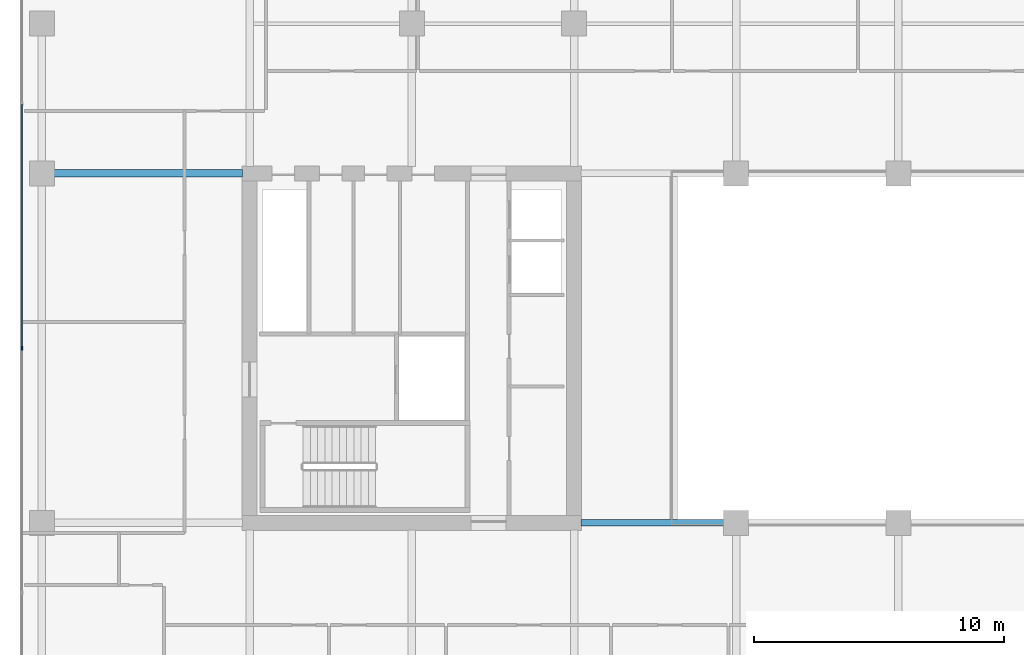
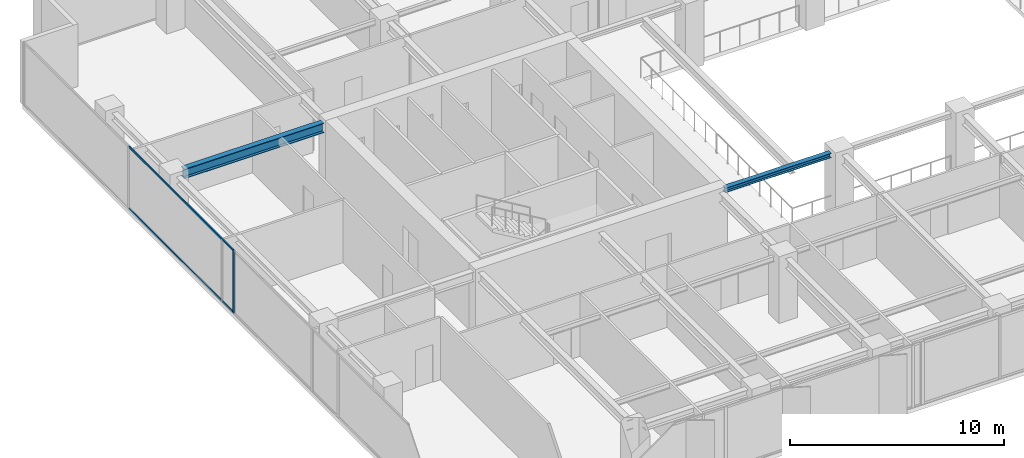
# One storey, part 4 of 22: 3 members, 2 beams, 1 element without a shape of its own.
"""IFC4 building model written with IfcOpenShell, lengths in metres."""

from ifc_helpers import new_model, si_unit, direction, frame, origin, origin_2d, place, context, subcontext, project, spatial, rectangle, i_section, extrude, material, layer, layer_set, material_profile, profile_set, type_object, element, aggregate, save


model = new_model("IFC4")

# Units and contexts
model_context = context("Model", 3, precision=1e-05, world=origin(), true_north=direction((0.0, 1.0)))
body_context = subcontext(model_context, "Body", "Model", "MODEL_VIEW")
ifc_project = project(units=[si_unit("LENGTHUNIT", "METRE"), si_unit("AREAUNIT", "SQUARE_METRE"), si_unit("VOLUMEUNIT", "CUBIC_METRE"), si_unit("PLANEANGLEUNIT", "RADIAN"), si_unit("MASSUNIT", "GRAM", prefix="KILO")], contexts=[model_context])

# Site, building, storey
site_placement = place(None, origin())
site = spatial("IfcSite", under=ifc_project, at=site_placement, CompositionType="ELEMENT")
building_placement = place(site_placement, origin())
building = spatial("IfcBuilding", under=site, at=building_placement, Name="Putna Gate Headquarters", CompositionType="ELEMENT")
storey_placement = place(building_placement, frame((0.0, 0.0, 174.60009765625)))
storey = spatial("IfcBuildingStorey", under=building, at=storey_placement, Name="L43", CompositionType="ELEMENT", Elevation=174.60009765625)

# Beams
ifc_material_1 = material(Name="Steel S355J2", Category="steel")
ifc_material_profile_1 = material_profile(ifc_material_1, i_section(OverallWidth=0.260009765625, OverallDepth=0.260009765625, WebThickness=0.010009765625, FlangeThickness=0.017578125, at=origin_2d()), Name="Steel S355J2")
ifc_profile_set_1 = profile_set([ifc_material_profile_1], Name="Steel S355J2")
beam_type_1 = type_object("IfcBeamType", Name="BM-ATRIUM-HEB260", PredefinedType="BEAM", material=ifc_profile_set_1)
beam_1_placement = place(storey_placement, frame((26.284912109375, 19.0, 3.44189453125), z_axis=(1.0, 0.0, 0.0), x_axis=(0.0, 1.0, 0.0)))
element("IfcBeam", 1, at=beam_1_placement, inside=storey, type_object=beam_type_1, Name="L43 Atrium Edge Beam AS1", PredefinedType="BEAM", context=body_context, shape_type="SweptSolid", body=[
    extrude(i_section(OverallWidth=0.260009765625, OverallDepth=0.260009765625, WebThickness=0.010009765625, FlangeThickness=0.017578125, at=origin_2d()), origin(), (0.0, 0.0, 1.0), 5.72705078125),
])
ifc_material_profile_2 = material_profile(ifc_material_1, i_section(OverallWidth=0.300048828125, OverallDepth=0.550048828125, WebThickness=0.014892578125, FlangeThickness=0.029052734375, at=origin_2d()), Name="Steel S355J2")
ifc_profile_set_2 = profile_set([ifc_material_profile_2], Name="Steel S355J2")
beam_type_2 = type_object("IfcBeamType", Name="BM-GIRD-Z3-HEB550", PredefinedType="USERDEFINED", material=ifc_profile_set_2)
beam_2_placement = place(storey_placement, frame((5.16796875, 33.0, 3.296875), z_axis=(1.0, 0.0, 0.0), x_axis=(0.0, 1.0, 0.0)))
element("IfcBeam", 2, at=beam_2_placement, inside=storey, type_object=beam_type_2, Name="L43 West Wing Girder Y33", ObjectType="GIRDER", PredefinedType="USERDEFINED", context=body_context, shape_type="SweptSolid", body=[
    extrude(i_section(OverallWidth=0.300048828125, OverallDepth=0.550048828125, WebThickness=0.014892578125, FlangeThickness=0.029052734375, at=origin_2d()), origin(), (0.0, 0.0, 1.0), 7.547119140625),
])

# Curtain wall, members
ifc_material_2 = material(Name="Anodised bronze aluminium curtain wall", Category="aluminium")
ifc_layer = layer(ifc_material_2, 0.159912109375)
ifc_layer_set = layer_set([ifc_layer], Name="Anodised bronze aluminium curtain wall")
curtain_wall_type = type_object("IfcCurtainWallType", Name="CW-SYS-Z3", PredefinedType="USERDEFINED", material=ifc_layer_set)
curtain_wall_placement = place(storey_placement, origin())
curtain_wall = element("IfcCurtainWall", 3, at=curtain_wall_placement, inside=storey, type_object=curtain_wall_type, Name="L43 West Curtain Wall", ObjectType="STICK CURTAIN WALL", PredefinedType="USERDEFINED")
ifc_material_3 = material(Name="Anodised bronze aluminium EN AW-6060", Category="aluminium")
ifc_material_profile_3 = material_profile(ifc_material_3, rectangle(XDim=0.06494140625, YDim=0.159912109375, at=origin_2d()), Name="Anodised bronze aluminium EN AW-6060")
ifc_profile_set_3 = profile_set([ifc_material_profile_3], Name="Anodised bronze aluminium EN AW-6060")
member_type_1 = type_object("IfcMemberType", Name="MULL-CWM-3", PredefinedType="MULLION", material=ifc_profile_set_3)
member_1_placement = place(storey_placement, frame((3.8798828125, 26.0, 0.0), z_axis=(0.0, 0.0, 1.0), x_axis=(-1.0, 0.0, 0.0)))
member_1 = element("IfcMember", 4, at=member_1_placement, type_object=member_type_1, Name="CWS-3 mullion 3", PredefinedType="MULLION", context=body_context, shape_type="SweptSolid", body=[
    extrude(rectangle(XDim=0.06494140625, YDim=0.159912109375, at=origin_2d()), origin(), (0.0, 0.0, 1.0), 3.572021484375),
])
ifc_material_profile_4 = material_profile(ifc_material_3, rectangle(XDim=0.06005859375, YDim=0.10009765625, at=origin_2d()), Name="Anodised bronze aluminium EN AW-6060")
ifc_profile_set_4 = profile_set([ifc_material_profile_4], Name="Anodised bronze aluminium EN AW-6060")
member_type_2 = type_object("IfcMemberType", Name="TRAN-CWT-3", PredefinedType="USERDEFINED", material=ifc_profile_set_4)
member_2_placement = place(storey_placement, frame((3.8798828125, 26.032470703125, 0.02978515625), z_axis=(0.0, 1.0, 0.0), x_axis=(-1.0, 0.0, 0.0)))
member_2 = element("IfcMember", 5, at=member_2_placement, type_object=member_type_2, Name="CWS-3 transom 3.1", ObjectType="TRANSOM", PredefinedType="USERDEFINED", context=body_context, shape_type="SweptSolid", body=[
    extrude(rectangle(XDim=0.06005859375, YDim=0.10009765625, at=origin_2d()), origin(), (0.0, 0.0, 1.0), 9.735107421875),
])
member_3_placement = place(storey_placement, frame((3.8798828125, 26.032470703125, 3.5419921875), z_axis=(0.0, 1.0, 0.0), x_axis=(-1.0, 0.0, 0.0)))
member_3 = element("IfcMember", 6, at=member_3_placement, type_object=member_type_2, Name="CWS-3 transom 3.2", ObjectType="TRANSOM", PredefinedType="USERDEFINED", context=body_context, shape_type="SweptSolid", body=[
    extrude(rectangle(XDim=0.06005859375, YDim=0.10009765625, at=origin_2d()), origin(), (0.0, 0.0, 1.0), 9.735107421875),
])
aggregate(curtain_wall, [member_1, member_2, member_3])

save(model, "model.ifc")
